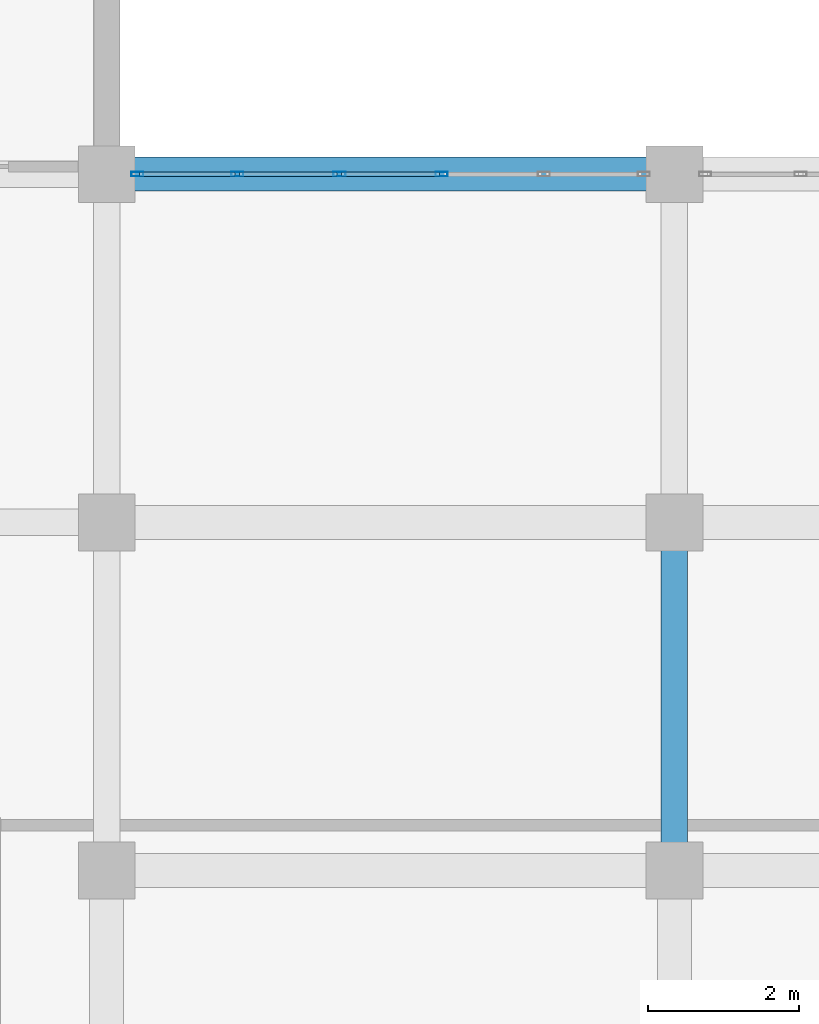
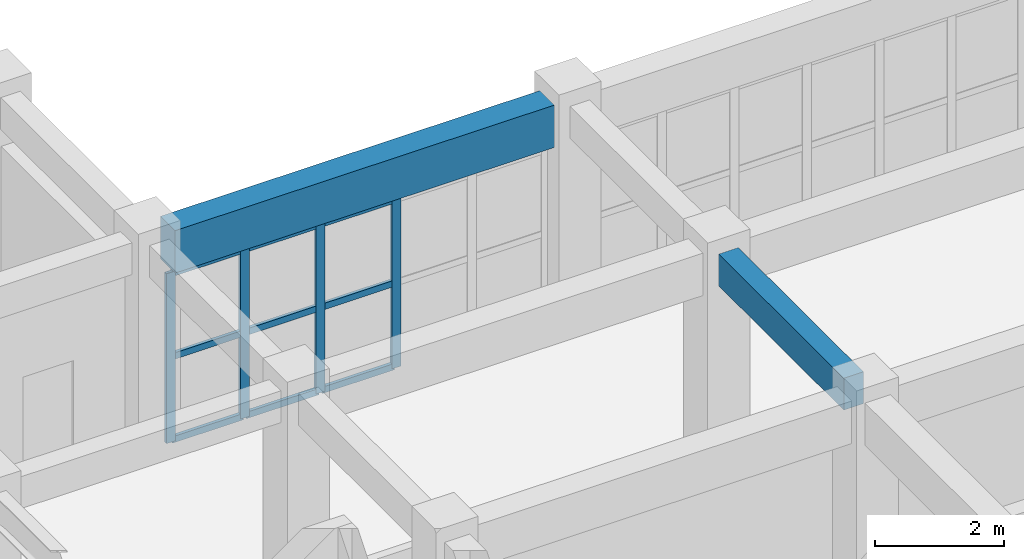
# One storey, part 10 of 116: 13 members, 2 beams, 1 element without a shape of its own.
"""IFC4 building model written with IfcOpenShell, lengths in metres."""

from ifc_helpers import new_model, si_unit, direction, frame, origin, origin_2d, place, context, subcontext, project, spatial, rectangle, hollow_rectangle, extrude, material, layer, layer_set, material_profile, profile_set, type_object, element, aggregate, save


model = new_model("IFC4")

# Units and contexts
model_context = context("Model", 3, precision=1e-05, world=origin(), true_north=direction((0.0, 1.0)))
body_context = subcontext(model_context, "Body", "Model", "MODEL_VIEW")
ifc_project = project(units=[si_unit("LENGTHUNIT", "METRE"), si_unit("AREAUNIT", "SQUARE_METRE"), si_unit("VOLUMEUNIT", "CUBIC_METRE"), si_unit("PLANEANGLEUNIT", "RADIAN"), si_unit("MASSUNIT", "GRAM", prefix="KILO")], contexts=[model_context])

# Site, building, storey
site_placement = place(None, origin())
site = spatial("IfcSite", under=ifc_project, at=site_placement, CompositionType="ELEMENT")
building_placement = place(site_placement, origin())
building = spatial("IfcBuilding", under=site, at=building_placement, Name="Muzn Square Opera House", CompositionType="ELEMENT")
storey_placement = place(building_placement, frame((0.0, 0.0, 5.39990234375)))
storey = spatial("IfcBuildingStorey", under=building, at=storey_placement, Name="L01", CompositionType="ELEMENT", Elevation=5.39990234375)

# Curtain wall, members
ifc_material_1 = material(Name="Low-E laminated acoustic double glazing", Category="glass")
ifc_layer = layer(ifc_material_1, 0.159912109375, Name="Low-E laminated acoustic double glazing", Category="glass")
ifc_layer_set = layer_set([ifc_layer], Name="Low-E laminated acoustic double glazing")
curtain_wall_type = type_object("IfcCurtainWallType", Name="Glazed Curtain Wall WestCloisterS 6750x3200", PredefinedType="USERDEFINED", material=ifc_layer_set)
curtain_wall_placement = place(storey_placement, origin())
curtain_wall = element("IfcCurtainWall", 1, at=curtain_wall_placement, inside=storey, type_object=curtain_wall_type, Name="Glazed Curtain Wall CW-L01-081", ObjectType="GLAZED CURTAIN WALL", PredefinedType="USERDEFINED")
ifc_material_2 = material(Name="Anodised bronze aluminium 6063-T6", Category="metal")
ifc_material_profile_1 = material_profile(ifc_material_2, hollow_rectangle(XDim=0.06005859375, YDim=0.159912109375, WallThickness=0.00390625, at=origin_2d()), Name="ALU 160x60x4", Category="metal")
ifc_profile_set_1 = profile_set([ifc_material_profile_1], Name="Anodised bronze aluminium 6063-T6")
member_type_1 = type_object("IfcMemberType", Name="Curtain Wall Mullion 160x60", PredefinedType="MULLION", material=ifc_profile_set_1)
member_1_placement = place(storey_placement, frame((19.405029296875, 31.199951171875, 0.0), z_axis=(0.0, 0.0, 1.0), x_axis=(0.0, 1.0, 0.0)))
member_1 = element("IfcMember", 2, at=member_1_placement, type_object=member_type_1, Name="CW-WCS-67x32 mullion 1", PredefinedType="MULLION", context=body_context, shape_type="SweptSolid", body=[
    extrude(hollow_rectangle(XDim=0.06005859375, YDim=0.159912109375, WallThickness=0.00390625, at=origin_2d()), origin(), (0.0, 0.0, 1.0), 3.2001953125),
])
member_2_placement = place(storey_placement, frame((20.72509765625, 31.199951171875, 0.0), z_axis=(0.0, 0.0, 1.0), x_axis=(0.0, 1.0, 0.0)))
member_2 = element("IfcMember", 3, at=member_2_placement, type_object=member_type_1, Name="CW-WCS-67x32 mullion 2", PredefinedType="MULLION", context=body_context, shape_type="SweptSolid", body=[
    extrude(hollow_rectangle(XDim=0.06005859375, YDim=0.159912109375, WallThickness=0.00390625, at=origin_2d()), origin(), (0.0, 0.0, 1.0), 3.2001953125),
])
member_3_placement = place(storey_placement, frame((22.074951171875, 31.199951171875, 0.0), z_axis=(0.0, 0.0, 1.0), x_axis=(0.0, 1.0, 0.0)))
member_3 = element("IfcMember", 4, at=member_3_placement, type_object=member_type_1, Name="CW-WCS-67x32 mullion 3", PredefinedType="MULLION", context=body_context, shape_type="SweptSolid", body=[
    extrude(hollow_rectangle(XDim=0.06005859375, YDim=0.159912109375, WallThickness=0.00390625, at=origin_2d()), origin(), (0.0, 0.0, 1.0), 3.2001953125),
])
member_4_placement = place(storey_placement, frame((23.425048828125, 31.199951171875, 0.0), z_axis=(0.0, 0.0, 1.0), x_axis=(0.0, 1.0, 0.0)))
member_4 = element("IfcMember", 5, at=member_4_placement, type_object=member_type_1, Name="CW-WCS-67x32 mullion 4", PredefinedType="MULLION", context=body_context, shape_type="SweptSolid", body=[
    extrude(hollow_rectangle(XDim=0.06005859375, YDim=0.159912109375, WallThickness=0.00390625, at=origin_2d()), origin(), (0.0, 0.0, 1.0), 3.2001953125),
])
ifc_material_profile_2 = material_profile(ifc_material_2, hollow_rectangle(XDim=0.06005859375, YDim=0.1201171875, WallThickness=0.00390625, at=origin_2d()), Name="ALU 120x60x4", Category="metal")
ifc_profile_set_2 = profile_set([ifc_material_profile_2], Name="Anodised bronze aluminium 6063-T6")
member_type_2 = type_object("IfcMemberType", Name="Curtain Wall Transom 120x60", PredefinedType="USERDEFINED", material=ifc_profile_set_2)
member_5_placement = place(storey_placement, frame((19.43505859375, 31.199951171875, 0.030029296875), z_axis=(1.0, 0.0, 0.0), x_axis=(0.0, 1.0, 0.0)))
member_5 = element("IfcMember", 6, at=member_5_placement, type_object=member_type_2, Name="CW-WCS-67x32 transom 1.1", ObjectType="TRANSOM", PredefinedType="USERDEFINED", context=body_context, shape_type="SweptSolid", body=[
    extrude(hollow_rectangle(XDim=0.06005859375, YDim=0.1201171875, WallThickness=0.00390625, at=origin_2d()), origin(), (0.0, 0.0, 1.0), 1.260009765625),
])
member_6_placement = place(storey_placement, frame((19.43505859375, 31.199951171875, 1.60009765625), z_axis=(1.0, 0.0, 0.0), x_axis=(0.0, 1.0, 0.0)))
member_6 = element("IfcMember", 7, at=member_6_placement, type_object=member_type_2, Name="CW-WCS-67x32 transom 1.2", ObjectType="TRANSOM", PredefinedType="USERDEFINED", context=body_context, shape_type="SweptSolid", body=[
    extrude(hollow_rectangle(XDim=0.06005859375, YDim=0.1201171875, WallThickness=0.00390625, at=origin_2d()), origin(), (0.0, 0.0, 1.0), 1.260009765625),
])
member_7_placement = place(storey_placement, frame((19.43505859375, 31.199951171875, 3.170166015625), z_axis=(1.0, 0.0, 0.0), x_axis=(0.0, 1.0, 0.0)))
member_7 = element("IfcMember", 8, at=member_7_placement, type_object=member_type_2, Name="CW-WCS-67x32 transom 1.3", ObjectType="TRANSOM", PredefinedType="USERDEFINED", context=body_context, shape_type="SweptSolid", body=[
    extrude(hollow_rectangle(XDim=0.06005859375, YDim=0.1201171875, WallThickness=0.00390625, at=origin_2d()), origin(), (0.0, 0.0, 1.0), 1.260009765625),
])
member_8_placement = place(storey_placement, frame((20.7548828125, 31.199951171875, 0.030029296875), z_axis=(1.0, 0.0, 0.0), x_axis=(0.0, 1.0, 0.0)))
member_8 = element("IfcMember", 9, at=member_8_placement, type_object=member_type_2, Name="CW-WCS-67x32 transom 2.1", ObjectType="TRANSOM", PredefinedType="USERDEFINED", context=body_context, shape_type="SweptSolid", body=[
    extrude(hollow_rectangle(XDim=0.06005859375, YDim=0.1201171875, WallThickness=0.00390625, at=origin_2d()), origin(), (0.0, 0.0, 1.0), 1.2900390625),
])
member_9_placement = place(storey_placement, frame((20.7548828125, 31.199951171875, 1.60009765625), z_axis=(1.0, 0.0, 0.0), x_axis=(0.0, 1.0, 0.0)))
member_9 = element("IfcMember", 10, at=member_9_placement, type_object=member_type_2, Name="CW-WCS-67x32 transom 2.2", ObjectType="TRANSOM", PredefinedType="USERDEFINED", context=body_context, shape_type="SweptSolid", body=[
    extrude(hollow_rectangle(XDim=0.06005859375, YDim=0.1201171875, WallThickness=0.00390625, at=origin_2d()), origin(), (0.0, 0.0, 1.0), 1.2900390625),
])
member_10_placement = place(storey_placement, frame((20.7548828125, 31.199951171875, 3.170166015625), z_axis=(1.0, 0.0, 0.0), x_axis=(0.0, 1.0, 0.0)))
member_10 = element("IfcMember", 11, at=member_10_placement, type_object=member_type_2, Name="CW-WCS-67x32 transom 2.3", ObjectType="TRANSOM", PredefinedType="USERDEFINED", context=body_context, shape_type="SweptSolid", body=[
    extrude(hollow_rectangle(XDim=0.06005859375, YDim=0.1201171875, WallThickness=0.00390625, at=origin_2d()), origin(), (0.0, 0.0, 1.0), 1.2900390625),
])
member_11_placement = place(storey_placement, frame((22.10498046875, 31.199951171875, 0.030029296875), z_axis=(1.0, 0.0, 0.0), x_axis=(0.0, 1.0, 0.0)))
member_11 = element("IfcMember", 12, at=member_11_placement, type_object=member_type_2, Name="CW-WCS-67x32 transom 3.1", ObjectType="TRANSOM", PredefinedType="USERDEFINED", context=body_context, shape_type="SweptSolid", body=[
    extrude(hollow_rectangle(XDim=0.06005859375, YDim=0.1201171875, WallThickness=0.00390625, at=origin_2d()), origin(), (0.0, 0.0, 1.0), 1.2900390625),
])
member_12_placement = place(storey_placement, frame((22.10498046875, 31.199951171875, 1.60009765625), z_axis=(1.0, 0.0, 0.0), x_axis=(0.0, 1.0, 0.0)))
member_12 = element("IfcMember", 13, at=member_12_placement, type_object=member_type_2, Name="CW-WCS-67x32 transom 3.2", ObjectType="TRANSOM", PredefinedType="USERDEFINED", context=body_context, shape_type="SweptSolid", body=[
    extrude(hollow_rectangle(XDim=0.06005859375, YDim=0.1201171875, WallThickness=0.00390625, at=origin_2d()), origin(), (0.0, 0.0, 1.0), 1.2900390625),
])
member_13_placement = place(storey_placement, frame((22.10498046875, 31.199951171875, 3.170166015625), z_axis=(1.0, 0.0, 0.0), x_axis=(0.0, 1.0, 0.0)))
member_13 = element("IfcMember", 14, at=member_13_placement, type_object=member_type_2, Name="CW-WCS-67x32 transom 3.3", ObjectType="TRANSOM", PredefinedType="USERDEFINED", context=body_context, shape_type="SweptSolid", body=[
    extrude(hollow_rectangle(XDim=0.06005859375, YDim=0.1201171875, WallThickness=0.00390625, at=origin_2d()), origin(), (0.0, 0.0, 1.0), 1.2900390625),
])
aggregate(curtain_wall, [member_1, member_2, member_3, member_4, member_5, member_6, member_7, member_8, member_9, member_10, member_11, member_12, member_13])

# Beams
ifc_material_3 = material(Name="Concrete C40/50", Category="concrete")
ifc_material_profile_3 = material_profile(ifc_material_3, rectangle(XDim=0.35009765625, YDim=0.60009765625, at=origin_2d()), Name="RCB 350x600", Category="concrete")
ifc_profile_set_3 = profile_set([ifc_material_profile_3], Name="Concrete C40/50")
beam_type_1 = type_object("IfcBeamType", Name="Primary Girder 350x600", PredefinedType="BEAM", material=ifc_profile_set_3)
beam_1_placement = place(storey_placement, frame((26.5, 22.366943359375, 3.820068359375), z_axis=(0.0, 1.0, 0.0), x_axis=(-1.0, 0.0, 0.0)))
element("IfcBeam", 15, at=beam_1_placement, inside=storey, type_object=beam_type_1, Name="Primary Girder BM-L01-BM-PG600-265_224_265_262-1573", PredefinedType="BEAM", context=body_context, shape_type="SweptSolid", body=[
    extrude(rectangle(XDim=0.35009765625, YDim=0.60009765625, at=origin_2d()), origin(), (0.0, 0.0, 1.0), 3.865966796875),
])
ifc_material_profile_4 = material_profile(ifc_material_3, rectangle(XDim=0.449951171875, YDim=0.800048828125, at=origin_2d()), Name="RCB 450x800", Category="concrete")
ifc_profile_set_4 = profile_set([ifc_material_profile_4], Name="Concrete C40/50")
beam_type_2 = type_object("IfcBeamType", Name="Primary Girder 450x800", PredefinedType="BEAM", material=ifc_profile_set_4)
beam_2_placement = place(storey_placement, frame((19.366943359375, 31.199951171875, 3.72021484375), z_axis=(1.0, 0.0, 0.0), x_axis=(0.0, 1.0, 0.0)))
element("IfcBeam", 16, at=beam_2_placement, inside=storey, type_object=beam_type_2, Name="Primary Girder BM-L01-BM-PG800-194_312_261_312-1315", PredefinedType="BEAM", context=body_context, shape_type="SweptSolid", body=[
    extrude(rectangle(XDim=0.449951171875, YDim=0.800048828125, at=origin_2d()), origin(), (0.0, 0.0, 1.0), 6.76611328125),
])

save(model, "model.ifc")
